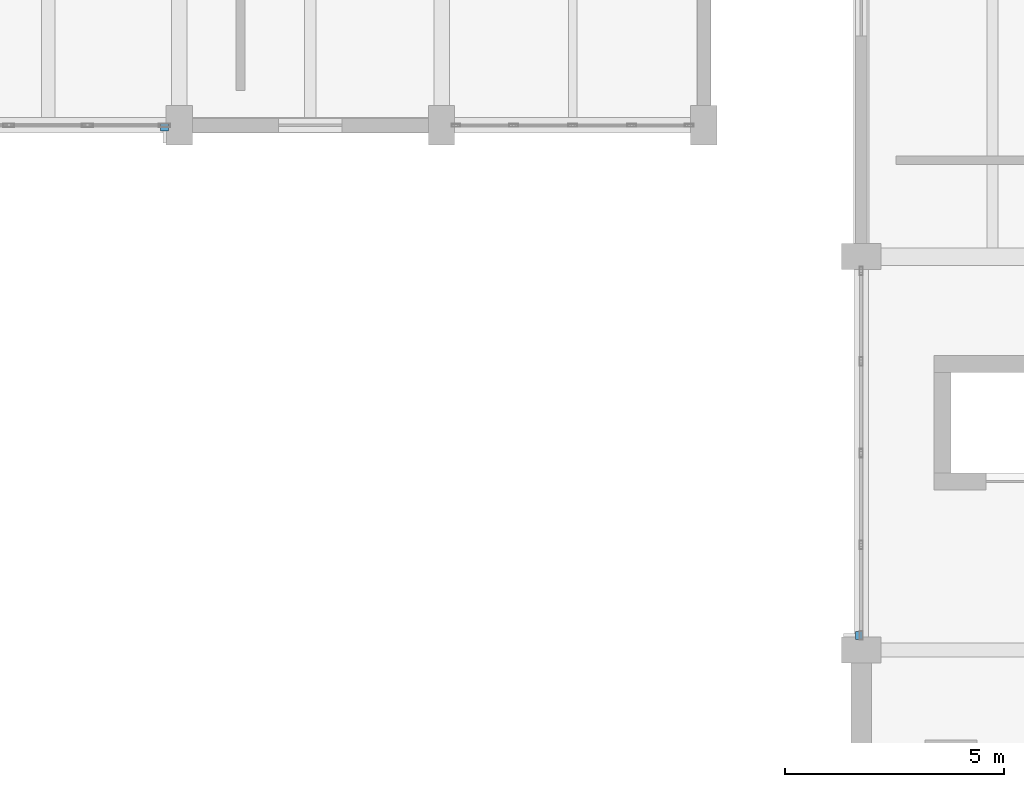
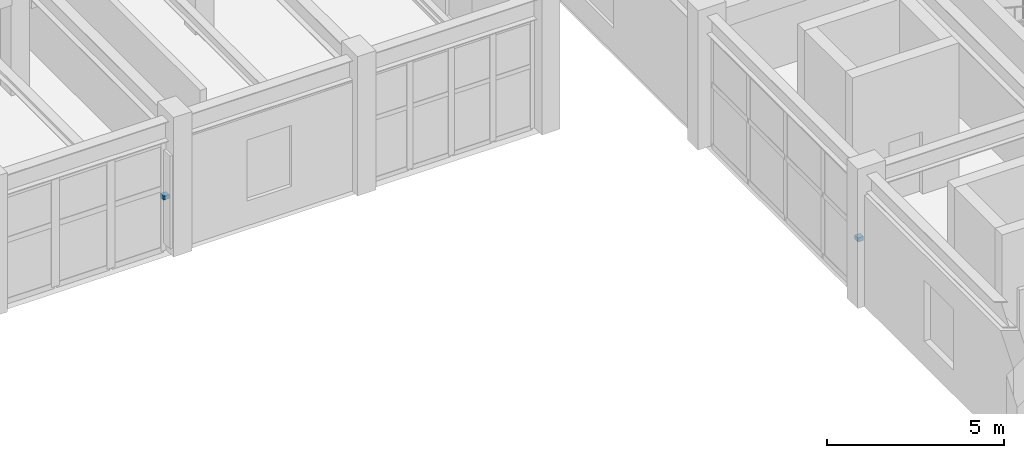
# One storey, part 65 of 80: 2 discrete accessories.
"""IFC4 building model written with IfcOpenShell, lengths in metres."""

from ifc_helpers import new_model, si_unit, direction, frame, origin, origin_2d, place, context, subcontext, project, spatial, rectangle, extrude, material, layer, layer_set, type_object, element, save


model = new_model("IFC4")

# Units and contexts
model_context = context("Model", 3, precision=1e-05, world=origin(), true_north=direction((0.0, 1.0)))
body_context = subcontext(model_context, "Body", "Model", "MODEL_VIEW")
ifc_project = project(units=[si_unit("LENGTHUNIT", "METRE"), si_unit("AREAUNIT", "SQUARE_METRE"), si_unit("VOLUMEUNIT", "CUBIC_METRE"), si_unit("PLANEANGLEUNIT", "RADIAN"), si_unit("MASSUNIT", "GRAM", prefix="KILO")], contexts=[model_context])

# Site, building, storey
site_placement = place(None, origin())
site = spatial("IfcSite", under=ifc_project, at=site_placement, CompositionType="ELEMENT")
building_placement = place(site_placement, origin())
building = spatial("IfcBuilding", under=site, at=building_placement, Name="Vaelkrest Opera House", CompositionType="ELEMENT")
storey_placement = place(building_placement, frame((0.0, 0.0, 15.0)))
storey = spatial("IfcBuildingStorey", under=building, at=storey_placement, Name="L03", CompositionType="ELEMENT", Elevation=15.0)

# Discrete accessories
ifc_material = material(Name="Steel A572 Gr50", Category="steel")
ifc_layer = layer(ifc_material, 0.139892578125)
ifc_layer_set = layer_set([ifc_layer], Name="Steel A572 Gr50")
discrete_accessory_type = type_object("IfcDiscreteAccessoryType", Name="BRK01", PredefinedType="BRACKET", material=ifc_layer_set)
for number, where, z_axis, x_axis, name in (
    (1, (-30.0400390625, -28.467041015625, 1.84521484375), (0.0, 0.0, 1.0), (-1.0, 0.0, 0.0), "Shading fin bracket 05"),
    (2, (-45.93798828125, -16.840087890625, 1.80322265625), (0.0, 0.0, 1.0), (0.0, -1.0, 0.0), "Shading fin bracket 15"),
):
    element("IfcDiscreteAccessory", number, at=place(storey_placement, frame(where, z_axis=z_axis, x_axis=x_axis)), inside=storey, type_object=discrete_accessory_type, Name=name, PredefinedType="BRACKET", context=body_context, shape_type="SweptSolid", body=[
        extrude(rectangle(XDim=0.179931640625, YDim=0.179931640625, at=origin_2d()), origin(), (0.0, 0.0, 1.0), 0.139892578125),
    ])

save(model, "model.ifc")
